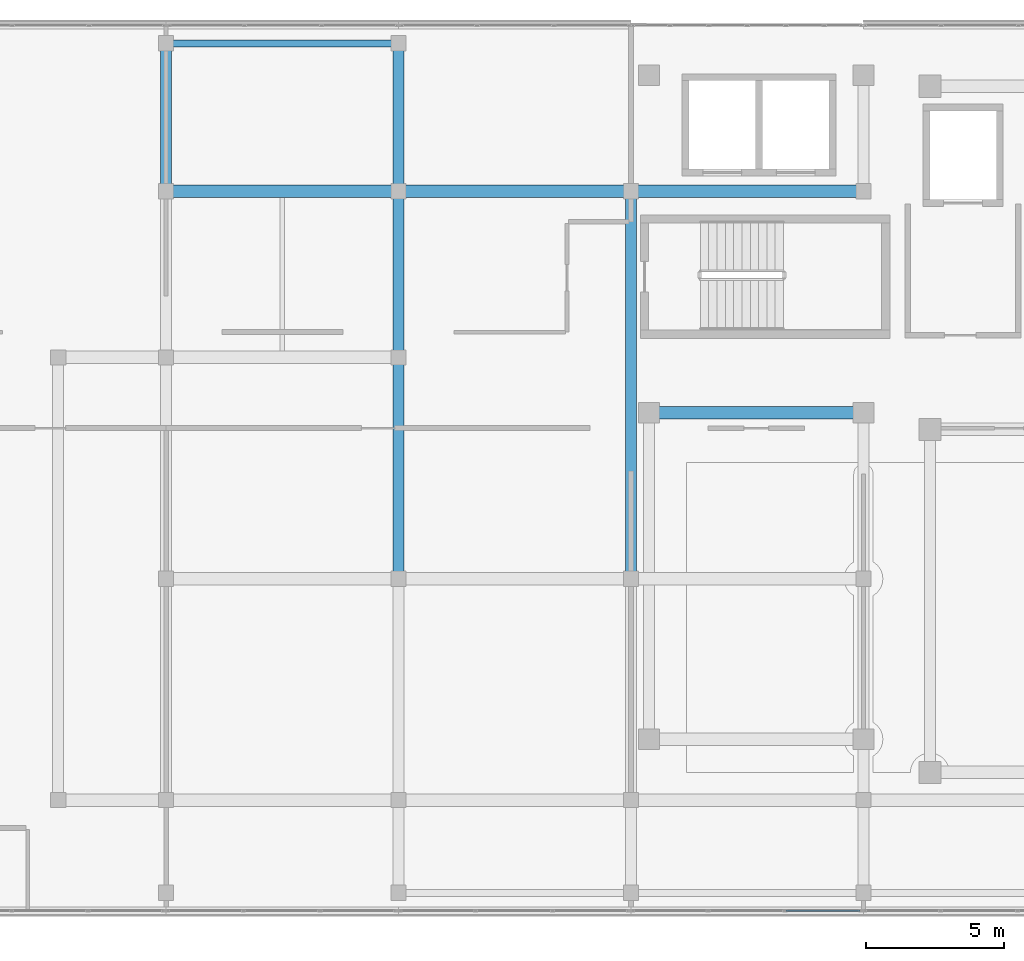
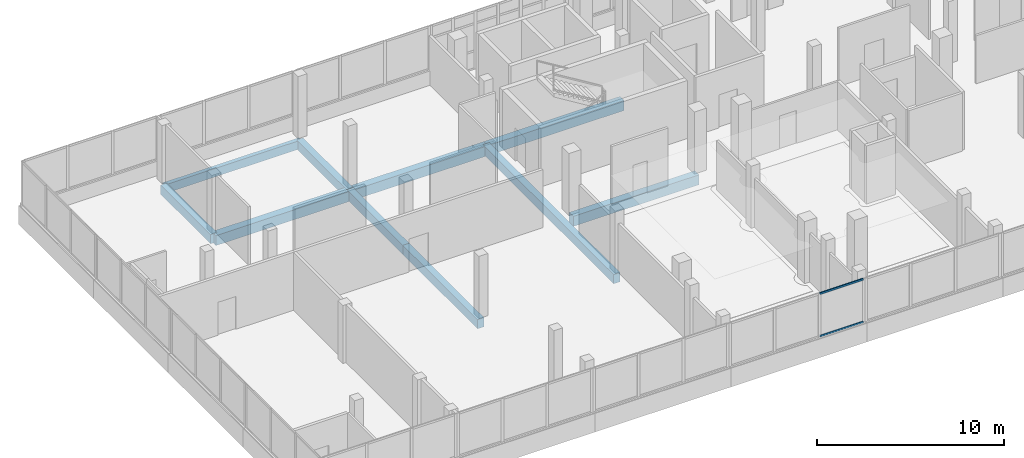
# One storey, part 12 of 66: 10 beams, 2 members, 1 element without a shape of its own.
"""IFC4 building model written with IfcOpenShell, lengths in metres."""

import ifcopenshell
import ifcopenshell.guid

model = None  # the IFC model being written
_history = None  # IfcOwnerHistory: only IFC2X3 demands one
_inside = {}  # id of a spatial element -> (the spatial element, [elements in it])
_under = {}  # id of a project, library or spatial element -> (it, [spatial elements below it])
_declared = {}  # id of a project -> (the project, [libraries it declares])
_typed = {}  # id of a type object -> (the type object, [elements of that type])
_made_of = {}  # id of a material, layer set ... -> (it, [elements and type objects made of it])


def new_model(schema):
    """Start an empty IFC model of exactly this schema.

    Asked for "IFC4X3", IfcOpenShell would pick the latest addendum, in which some entities
    have other attributes; the version numbers below select the first issue.
    IFC2X3 requires an IfcOwnerHistory on every rooted entity: one is made here for all.
    """
    global model, _history
    if schema == "IFC4X3":
        model = ifcopenshell.file(schema_version=(4, 3, 0, 0))
    else:
        model = ifcopenshell.file(schema=schema)
    _inside.clear()
    _under.clear()
    _declared.clear()
    _typed.clear()
    _made_of.clear()
    _history = None
    if model.schema == "IFC2X3":
        org = make("IfcOrganization", Name="unknown")
        user = make(
            "IfcPersonAndOrganization",
            ThePerson=make("IfcPerson", FamilyName="unknown"),
            TheOrganization=org,
        )
        app = make(
            "IfcApplication",
            ApplicationDeveloper=org,
            Version="unknown",
            ApplicationFullName="unknown",
            ApplicationIdentifier="unknown",
        )
        _history = make(
            "IfcOwnerHistory",
            OwningUser=user,
            OwningApplication=app,
            ChangeAction="ADDED",
            CreationDate=0,
        )
    return model


def make(cls, **values):
    """One entity of the class cls with the attributes given. An attribute that is None is left unset."""
    return model.create_entity(
        cls, **{name: value for name, value in values.items() if value is not None}
    )


def rooted(cls, **values):
    """An entity with a GlobalId (a new one), such as an element, a storey or a relation."""
    return make(cls, GlobalId=ifcopenshell.guid.new(), OwnerHistory=_history, **values)


def si_unit(unit_type, name, prefix=None):
    """IfcSIUnit, for example si_unit("LENGTHUNIT", "METRE", prefix="MILLI")."""
    return make("IfcSIUnit", UnitType=unit_type, Prefix=prefix, Name=name)


def assignment(units):
    """IfcUnitAssignment: the units of a project."""
    return None if units is None else make("IfcUnitAssignment", Units=units)


def point(xyz):
    """IfcCartesianPoint."""
    return None if xyz is None else make("IfcCartesianPoint", Coordinates=xyz)


def direction(xyz):
    """IfcDirection."""
    return None if xyz is None else make("IfcDirection", DirectionRatios=xyz)


def frame(location, z_axis=None, x_axis=None):
    """IfcAxis2Placement3D, a coordinate frame: its origin and axes. An axis left out is left unset."""
    return make(
        "IfcAxis2Placement3D",
        Location=point(location),
        Axis=direction(z_axis),
        RefDirection=direction(x_axis),
    )


def frame_2d(location, x_axis=None):
    """IfcAxis2Placement2D, a coordinate frame in the plane: its origin and x axis."""
    return make(
        "IfcAxis2Placement2D", Location=point(location), RefDirection=direction(x_axis)
    )


def origin():
    """The frame at (0, 0, 0) with its axes left unset."""
    return frame((0.0, 0.0, 0.0))


def origin_2d():
    """The frame at (0, 0) in the plane with its x axis left unset."""
    return frame_2d((0.0, 0.0))


def place(relative_to, where):
    """IfcLocalPlacement: puts the frame where relative to a parent placement (None: the world)."""
    return make(
        "IfcLocalPlacement", PlacementRelTo=relative_to, RelativePlacement=where
    )


def context(
    kind, dimensions, precision=None, world=None, true_north=None, identifier=None
):
    """IfcGeometricRepresentationContext, for example the 3D "Model" context."""
    return make(
        "IfcGeometricRepresentationContext",
        ContextIdentifier=identifier,
        ContextType=kind,
        CoordinateSpaceDimension=dimensions,
        Precision=precision,
        WorldCoordinateSystem=world,
        TrueNorth=true_north,
    )


def subcontext(parent, identifier, kind, view, scale=None):
    """IfcGeometricRepresentationSubContext, for example "Body" below "Model"."""
    return make(
        "IfcGeometricRepresentationSubContext",
        ContextIdentifier=identifier,
        ContextType=kind,
        ParentContext=parent,
        TargetScale=scale,
        TargetView=view,
    )


def project(units=None, contexts=None):
    """IfcProject with its units and contexts."""
    return rooted(
        "IfcProject",
        Name="project",
        RepresentationContexts=contexts,
        UnitsInContext=assignment(units),
    )


def spatial(cls, under=None, at=None, **own):
    """A site, building, storey or space (cls), placed at a placement, below another one or the project."""
    s = rooted(cls, ObjectPlacement=at, **own)
    if under is not None:
        _under.setdefault(under.id(), (under, []))[1].append(s)
    return s


def profile(cls, at=None, kind="AREA", **sizes):
    """A parametric profile (cls). Its sizes go by their IFC names, for example OverallWidth=200.0."""
    return make(cls, ProfileType=kind, Position=at, **sizes)


def rectangle(**sizes):
    """IfcRectangleProfileDef."""
    return profile("IfcRectangleProfileDef", **sizes)


def hollow_rectangle(**sizes):
    """IfcRectangleHollowProfileDef."""
    return profile("IfcRectangleHollowProfileDef", **sizes)


def extrude(swept, where, along, depth):
    """IfcExtrudedAreaSolid: the profile swept, set in the frame where, extruded along a direction by depth."""
    return make(
        "IfcExtrudedAreaSolid",
        SweptArea=swept,
        Position=where,
        ExtrudedDirection=direction(along),
        Depth=depth,
    )


def shape(context_of_items, identifier, shape_type, items):
    """IfcShapeRepresentation: the items that make up one representation, for example the "Body"."""
    return make(
        "IfcShapeRepresentation",
        ContextOfItems=context_of_items,
        RepresentationIdentifier=identifier,
        RepresentationType=shape_type,
        Items=items,
    )


def material(Name=None, Category=None):
    """IfcMaterial."""
    return make("IfcMaterial", Name=Name, Category=Category)


def material_profile(
    of_material, cross_section, Name=None, Category=None, Priority=None
):
    """IfcMaterialProfile: a cross section and its material."""
    return make(
        "IfcMaterialProfile",
        Name=Name,
        Material=of_material,
        Profile=cross_section,
        Priority=Priority,
        Category=Category,
    )


def profile_set(profiles, Name=None, composite=None):
    """IfcMaterialProfileSet."""
    return make(
        "IfcMaterialProfileSet",
        Name=Name,
        MaterialProfiles=profiles,
        CompositeProfile=composite,
    )


def made_of(thing, what):
    """Note that an element or type object is made of a material, layer set ...; save() writes the relation."""
    if what is not None:
        _made_of.setdefault(what.id(), (what, []))[1].append(thing)
    return thing


def type_object(cls, material=None, **own):
    """A type object (cls), such as IfcWallType, which elements share."""
    return made_of(rooted(cls, **own), material)


def element(
    cls,
    number,
    at=None,
    inside=None,
    cuts=None,
    type_object=None,
    material=None,
    context=None,
    identifier="Body",
    shape_type=None,
    held_by="IfcProductDefinitionShape",
    body=None,
    shapes=None,
    **own,
):
    """One element of the class cls, such as IfcWall. Its Tag is "e" and its number.

    at: its placement. inside: the storey or other place that contains it. cuts: it is an
    opening in that element (IfcRelVoidsElement). A single representation is given by context,
    identifier, shape_type and body (its items); several are given by shapes. held_by: the class
    of the entity that holds the representations. save() writes the other relations.
    """
    e = rooted(cls, Tag="e%d" % number, ObjectPlacement=at, **own)
    if body is not None:
        shapes = [shape(context, identifier, shape_type, body)]
    if shapes is not None:
        e.Representation = make(held_by, Representations=shapes)
    if inside is not None:
        _inside.setdefault(inside.id(), (inside, []))[1].append(e)
    if cuts is not None:
        rooted(
            "IfcRelVoidsElement", RelatingBuildingElement=cuts, RelatedOpeningElement=e
        )
    if type_object is not None:
        _typed.setdefault(type_object.id(), (type_object, []))[1].append(e)
    return made_of(e, material)


def aggregate(whole, parts):
    """IfcRelAggregates: a whole, such as a stair, and the parts it consists of."""
    return rooted("IfcRelAggregates", RelatingObject=whole, RelatedObjects=parts)


def save(model, path):
    """Write the relations noted so far, then the file.

    IfcRelAggregates (storeys below a building ...), IfcRelContainedInSpatialStructure (elements
    in a storey), IfcRelDefinesByType, IfcRelAssociatesMaterial and IfcRelDeclares: one each for
    every whole, place, type object, material and project.
    """
    for whole, parts in _under.values():
        aggregate(whole, parts)
    for where, things in _inside.values():
        rooted(
            "IfcRelContainedInSpatialStructure",
            RelatedElements=things,
            RelatingStructure=where,
        )
    for kind, things in _typed.values():
        rooted("IfcRelDefinesByType", RelatedObjects=things, RelatingType=kind)
    for what, things in _made_of.values():
        rooted("IfcRelAssociatesMaterial", RelatedObjects=things, RelatingMaterial=what)
    for by, libraries in _declared.values():
        rooted("IfcRelDeclares", RelatingContext=by, RelatedDefinitions=libraries)
    model.write(path)


model = new_model("IFC4")

# Units and contexts
model_context = context("Model", 3, precision=1e-05, world=origin(), true_north=direction((0.0, 1.0)))
body_context = subcontext(model_context, "Body", "Model", "MODEL_VIEW")
ifc_project = project(units=[si_unit("LENGTHUNIT", "METRE"), si_unit("AREAUNIT", "SQUARE_METRE"), si_unit("VOLUMEUNIT", "CUBIC_METRE"), si_unit("PLANEANGLEUNIT", "RADIAN"), si_unit("MASSUNIT", "GRAM", prefix="KILO")], contexts=[model_context])

# Site, building, storey
site_placement = place(None, origin())
site = spatial("IfcSite", under=ifc_project, at=site_placement, CompositionType="ELEMENT")
building_placement = place(site_placement, origin())
building = spatial("IfcBuilding", under=site, at=building_placement, Name="Selatvlak General Hospital", CompositionType="ELEMENT")
storey_placement = place(building_placement, frame((0.0, 0.0, 31.35009765625)))
storey = spatial("IfcBuildingStorey", under=building, at=storey_placement, Name="L07", CompositionType="ELEMENT", Elevation=31.35009765625)

# Beams
ifc_material_1 = material(Name="Concrete C40/50", Category="concrete")
ifc_material_profile_1 = material_profile(ifc_material_1, rectangle(XDim=0.449951171875, YDim=0.64990234375, at=origin_2d()), Name="RC-BM 450x650")
ifc_profile_set_1 = profile_set([ifc_material_profile_1], Name="Concrete C40/50")
beam_type_1 = type_object("IfcBeamType", Name="BM-G04", PredefinedType="BEAM", material=ifc_profile_set_1)
beam_1_placement = place(storey_placement, frame((48.64990234375, 106.0, -0.59521484375), z_axis=(1.0, 0.0, 0.0), x_axis=(0.0, 1.0, 0.0)))
element("IfcBeam", 1, at=beam_1_placement, inside=storey, type_object=beam_type_1, Name="Beam BMR-L07-2422", PredefinedType="BEAM", context=body_context, shape_type="SweptSolid", body=[
    extrude(rectangle(XDim=0.449951171875, YDim=0.64990234375, at=origin_2d()), origin(), (0.0, 0.0, 1.0), 7.75),
])
beam_2_placement = place(storey_placement, frame((31.199951171875, 114.0, -0.59521484375), z_axis=(1.0, 0.0, 0.0), x_axis=(0.0, 1.0, 0.0)))
element("IfcBeam", 2, at=beam_2_placement, inside=storey, type_object=beam_type_1, Name="Beam BMR-L07-2437", PredefinedType="BEAM", context=body_context, shape_type="SweptSolid", body=[
    extrude(rectangle(XDim=0.449951171875, YDim=0.64990234375, at=origin_2d()), origin(), (0.0, 0.0, 1.0), 8.400146484375),
])
for number, where, z_axis, x_axis, name in (
    (3, (39.60009765625, 114.0, -0.59521484375), (1.0, 0.0, 0.0), (0.0, 1.0, 0.0), "Beam BMR-L07-2438"),
    (4, (48.0, 114.0, -0.59521484375), (1.0, 0.0, 0.0), (0.0, 1.0, 0.0), "Beam BMR-L07-2439"),
):
    element("IfcBeam", number, at=place(storey_placement, frame(where, z_axis=z_axis, x_axis=x_axis)), inside=storey, type_object=beam_type_1, Name=name, PredefinedType="BEAM", context=body_context, shape_type="SweptSolid", body=[
        extrude(rectangle(XDim=0.449951171875, YDim=0.64990234375, at=origin_2d()), origin(), (0.0, 0.0, 1.0), 8.39990234375),
    ])
ifc_material_profile_2 = material_profile(ifc_material_1, rectangle(XDim=0.39990234375, YDim=0.60009765625, at=origin_2d()), Name="RC-BM 400x600")
ifc_profile_set_2 = profile_set([ifc_material_profile_2], Name="Concrete C40/50")
beam_type_2 = type_object("IfcBeamType", Name="BM-G05", PredefinedType="BEAM", material=ifc_profile_set_2)
beam_3_placement = place(storey_placement, frame((31.199951171875, 114.0, -0.570068359375), z_axis=(0.0, 1.0, 0.0), x_axis=(-1.0, 0.0, 0.0)))
element("IfcBeam", 5, at=beam_3_placement, inside=storey, type_object=beam_type_2, Name="Beam BMR-L07-2463", PredefinedType="BEAM", context=body_context, shape_type="SweptSolid", body=[
    extrude(rectangle(XDim=0.39990234375, YDim=0.60009765625, at=origin_2d()), origin(), (0.0, 0.0, 1.0), 5.35009765625),
])
beam_4_placement = place(storey_placement, frame((39.60009765625, 100.0, -0.570068359375), z_axis=(0.0, 1.0, 0.0), x_axis=(-1.0, 0.0, 0.0)))
element("IfcBeam", 6, at=beam_4_placement, inside=storey, type_object=beam_type_2, Name="Beam BMR-L07-2466", PredefinedType="BEAM", context=body_context, shape_type="SweptSolid", body=[
    extrude(rectangle(XDim=0.39990234375, YDim=0.60009765625, at=origin_2d()), origin(), (0.0, 0.0, 1.0), 8.0),
])
beam_5_placement = place(storey_placement, frame((39.60009765625, 108.0, -0.570068359375), z_axis=(0.0, 1.0, 0.0), x_axis=(-1.0, 0.0, 0.0)))
element("IfcBeam", 7, at=beam_5_placement, inside=storey, type_object=beam_type_2, Name="Beam BMR-L07-2467", PredefinedType="BEAM", context=body_context, shape_type="SweptSolid", body=[
    extrude(rectangle(XDim=0.39990234375, YDim=0.60009765625, at=origin_2d()), origin(), (0.0, 0.0, 1.0), 6.0),
])
beam_6_placement = place(storey_placement, frame((39.60009765625, 114.0, -0.570068359375), z_axis=(0.0, 1.0, 0.0), x_axis=(-1.0, 0.0, 0.0)))
element("IfcBeam", 8, at=beam_6_placement, inside=storey, type_object=beam_type_2, Name="Beam BMR-L07-2468", PredefinedType="BEAM", context=body_context, shape_type="SweptSolid", body=[
    extrude(rectangle(XDim=0.39990234375, YDim=0.60009765625, at=origin_2d()), origin(), (0.0, 0.0, 1.0), 5.35009765625),
])
beam_7_placement = place(storey_placement, frame((48.0, 100.0, -0.570068359375), z_axis=(0.0, 1.0, 0.0), x_axis=(-1.0, 0.0, 0.0)))
element("IfcBeam", 9, at=beam_7_placement, inside=storey, type_object=beam_type_2, Name="Beam BMR-L07-2471", PredefinedType="BEAM", context=body_context, shape_type="SweptSolid", body=[
    extrude(rectangle(XDim=0.39990234375, YDim=0.60009765625, at=origin_2d()), origin(), (0.0, 0.0, 1.0), 14.0),
])
ifc_material_profile_3 = material_profile(ifc_material_1, rectangle(XDim=0.25, YDim=0.550048828125, at=origin_2d()), Name="RC-SP 250x550")
ifc_profile_set_3 = profile_set([ifc_material_profile_3], Name="Concrete C40/50")
beam_type_3 = type_object("IfcBeamType", Name="BM-SP2", PredefinedType="SPANDREL", material=ifc_profile_set_3)
beam_8_placement = place(storey_placement, frame((31.199951171875, 119.35009765625, -0.545166015625), z_axis=(1.0, 0.0, 0.0), x_axis=(0.0, 1.0, 0.0)))
element("IfcBeam", 10, at=beam_8_placement, inside=storey, type_object=beam_type_3, Name="Beam BMR-L07-2451", PredefinedType="SPANDREL", context=body_context, shape_type="SweptSolid", body=[
    extrude(rectangle(XDim=0.25, YDim=0.550048828125, at=origin_2d()), origin(), (0.0, 0.0, 1.0), 8.400146484375),
])

# Curtain wall, members
ifc_material_2 = material(Name="Solar-control Low-E double glazing", Category="glass")
curtain_wall_type = type_object("IfcCurtainWallType", Name="CW-CW-02", PredefinedType="USERDEFINED", material=ifc_material_2)
curtain_wall_placement = place(storey_placement, origin())
curtain_wall = element("IfcCurtainWall", 11, at=curtain_wall_placement, inside=storey, type_object=curtain_wall_type, Name="Glazed facade curtain wall CW-L07-0676", ObjectType="UNITISED CURTAIN WALL", PredefinedType="USERDEFINED")
ifc_material_3 = material(Name="Dark anodised aluminium mullion", Category="aluminium")
ifc_material_profile_4 = material_profile(ifc_material_3, hollow_rectangle(XDim=0.06494140625, YDim=0.1201171875, WallThickness=0.00390625, at=origin_2d()), Name="AL-TRN 65x120x4")
ifc_profile_set_4 = profile_set([ifc_material_profile_4], Name="Dark anodised aluminium mullion")
member_type = type_object("IfcMemberType", Name="CWT-01", PredefinedType="USERDEFINED", material=ifc_profile_set_4)
member_1_placement = place(storey_placement, frame((56.27001953125, 88.0, 0.972412109375), z_axis=(-1.0, 0.0, 0.0), x_axis=(0.0, -1.0, 0.0)))
member_1 = element("IfcMember", 12, at=member_1_placement, type_object=member_type, Name="CW-02 transom 1.1", ObjectType="TRANSOM", PredefinedType="USERDEFINED", context=body_context, shape_type="SweptSolid", body=[
    extrude(hollow_rectangle(XDim=0.06494140625, YDim=0.1201171875, WallThickness=0.00390625, at=origin_2d()), origin(), (0.0, 0.0, 1.0), 2.67578125),
])
member_2_placement = place(storey_placement, frame((56.27001953125, 88.0, 3.75244140625), z_axis=(-1.0, 0.0, 0.0), x_axis=(0.0, -1.0, 0.0)))
member_2 = element("IfcMember", 13, at=member_2_placement, type_object=member_type, Name="CW-02 transom 1.2", ObjectType="TRANSOM", PredefinedType="USERDEFINED", context=body_context, shape_type="SweptSolid", body=[
    extrude(hollow_rectangle(XDim=0.06494140625, YDim=0.1201171875, WallThickness=0.00390625, at=origin_2d()), origin(), (0.0, 0.0, 1.0), 2.67578125),
])
aggregate(curtain_wall, [member_1, member_2])

save(model, "model.ifc")
